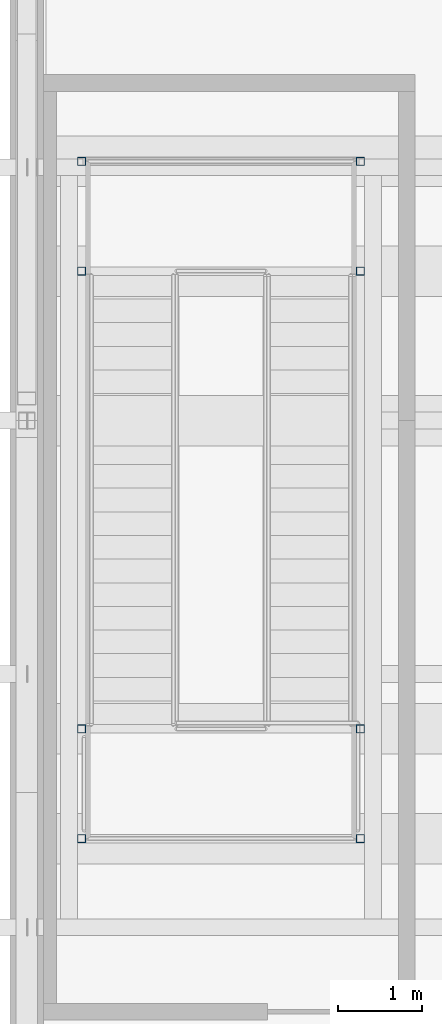
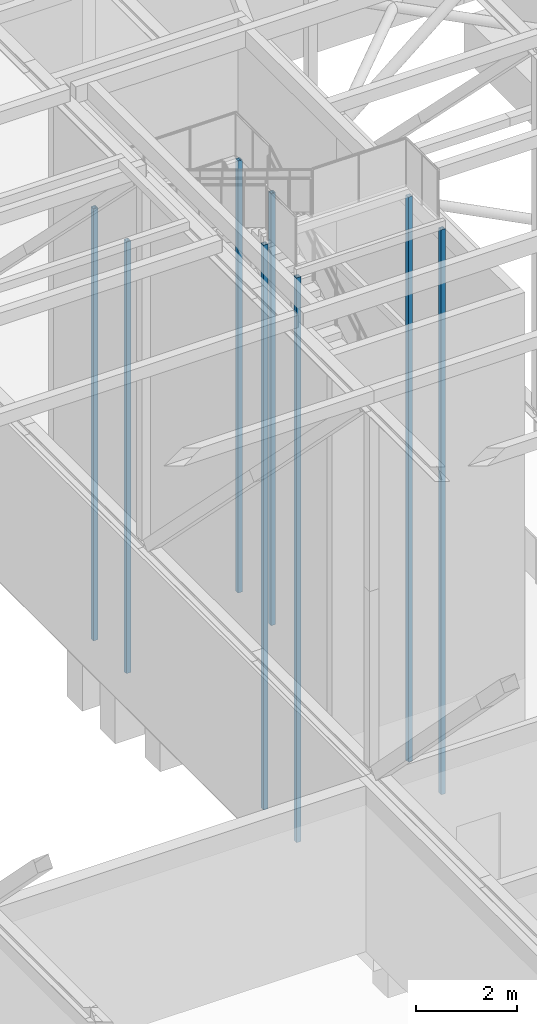
# One storey, part 6 of 646: 8 columns.
"""IFC4 building model written with IfcOpenShell, lengths in metres."""

from ifc_helpers import new_model, si_unit, direction, frame, origin, origin_2d, place, context, subcontext, project, spatial, hollow_rectangle, extrude, material, material_profile, profile_set, type_object, element, save


model = new_model("IFC4")

# Units and contexts
model_context = context("Model", 3, precision=1e-05, world=origin(), true_north=direction((0.0, 1.0)))
body_context = subcontext(model_context, "Body", "Model", "MODEL_VIEW")
ifc_project = project(units=[si_unit("LENGTHUNIT", "METRE"), si_unit("AREAUNIT", "SQUARE_METRE"), si_unit("VOLUMEUNIT", "CUBIC_METRE"), si_unit("PLANEANGLEUNIT", "RADIAN"), si_unit("MASSUNIT", "GRAM", prefix="KILO")], contexts=[model_context])

# Site, building, storey
site_placement = place(None, origin())
site = spatial("IfcSite", under=ifc_project, at=site_placement, CompositionType="ELEMENT")
building_placement = place(site_placement, origin())
building = spatial("IfcBuilding", under=site, at=building_placement, Name="Silverbay Arena", CompositionType="ELEMENT")
storey_placement = place(building_placement, frame((0.0, 0.0, 33.5)))
storey = spatial("IfcBuildingStorey", under=building, at=storey_placement, Name="L05", CompositionType="ELEMENT", Elevation=33.5)

# Columns
ifc_material = material(Name="Steel S355", Category="steel")
ifc_material_profile = material_profile(ifc_material, hollow_rectangle(XDim=0.10009765625, YDim=0.10009765625, WallThickness=0.008056640625, at=origin_2d()), Name="SHS 100x100x8")
ifc_profile_set = profile_set([ifc_material_profile], Name="Steel S355")
column_type = type_object("IfcColumnType", Name="Roof access stair post SHS 100x100x8", PredefinedType="COLUMN", material=ifc_profile_set)
for number, where, z_axis, x_axis, name in (
    (1, (192.949951171875, 67.050048828125, -0.300048828125), (0.0, 0.0, 1.0), (1.0, 0.0, 0.0), "Stair RA2 L05 to ROOF post S1W"),
    (2, (189.64990234375, 67.050048828125, -0.300048828125), (0.0, 0.0, 1.0), (1.0, 0.0, 0.0), "Stair RA2 L05 to ROOF post S1E"),
    (3, (192.949951171875, 68.35009765625, -0.300048828125), (0.0, 0.0, 1.0), (1.0, 0.0, 0.0), "Stair RA2 L05 to ROOF post S2W"),
    (4, (189.64990234375, 68.35009765625, -0.300048828125), (0.0, 0.0, 1.0), (1.0, 0.0, 0.0), "Stair RA2 L05 to ROOF post S2E"),
):
    element("IfcColumn", number, at=place(storey_placement, frame(where, z_axis=z_axis, x_axis=x_axis)), inside=storey, type_object=column_type, Name=name, PredefinedType="COLUMN", context=body_context, shape_type="SweptSolid", body=[
        extrude(hollow_rectangle(XDim=0.10009765625, YDim=0.10009765625, WallThickness=0.008056640625, at=origin_2d()), origin(), (0.0, 0.0, 1.0), 13.6201171875),
    ])
for number, where, z_axis, x_axis, name in (
    (5, (192.949951171875, 73.77001953125, -0.300048828125), (0.0, 0.0, 1.0), (1.0, 0.0, 0.0), "Stair RA2 L05 to ROOF post N1W"),
    (6, (189.64990234375, 73.77001953125, -0.300048828125), (0.0, 0.0, 1.0), (1.0, 0.0, 0.0), "Stair RA2 L05 to ROOF post N1E"),
    (7, (192.949951171875, 75.070068359375, -0.300048828125), (0.0, 0.0, 1.0), (1.0, 0.0, 0.0), "Stair RA2 L05 to ROOF post N2W"),
    (8, (189.64990234375, 75.070068359375, -0.300048828125), (0.0, 0.0, 1.0), (1.0, 0.0, 0.0), "Stair RA2 L05 to ROOF post N2E"),
):
    element("IfcColumn", number, at=place(storey_placement, frame(where, z_axis=z_axis, x_axis=x_axis)), inside=storey, type_object=column_type, Name=name, PredefinedType="COLUMN", context=body_context, shape_type="SweptSolid", body=[
        extrude(hollow_rectangle(XDim=0.10009765625, YDim=0.10009765625, WallThickness=0.008056640625, at=origin_2d()), origin(), (0.0, 0.0, 1.0), 10.420166015625),
    ])

save(model, "model.ifc")
